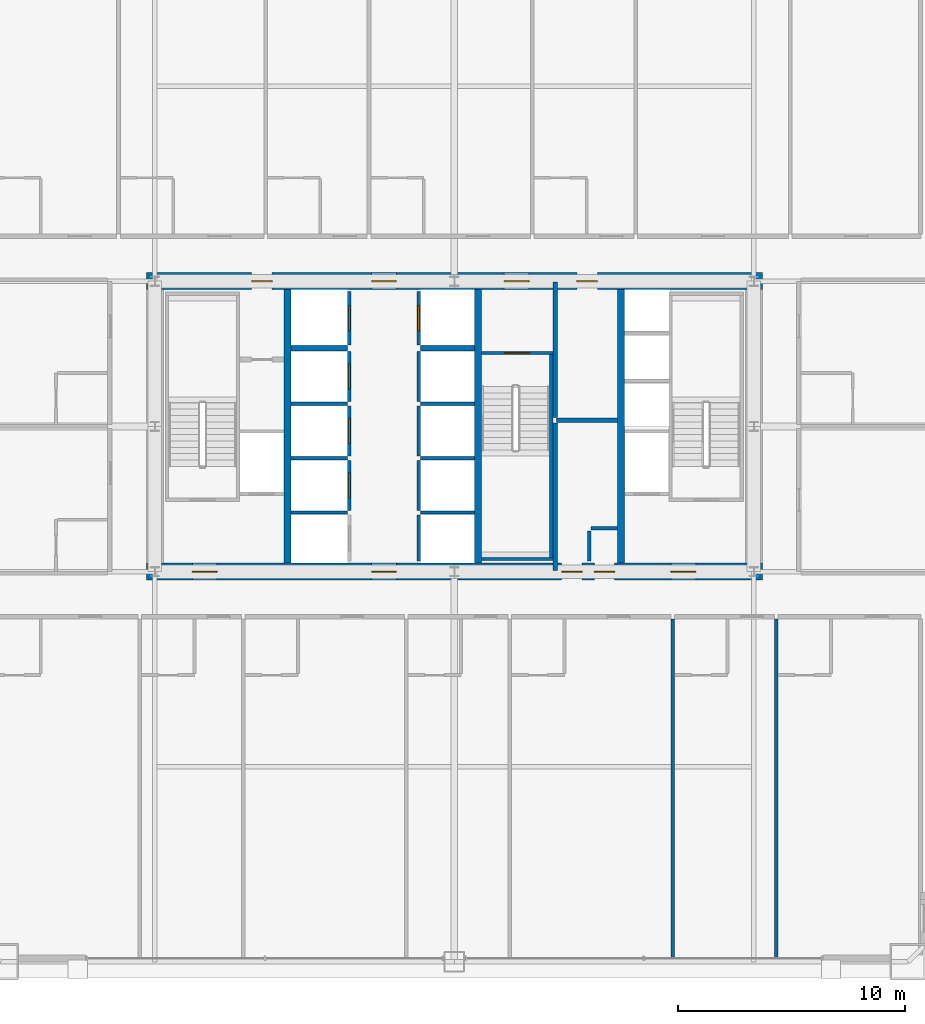
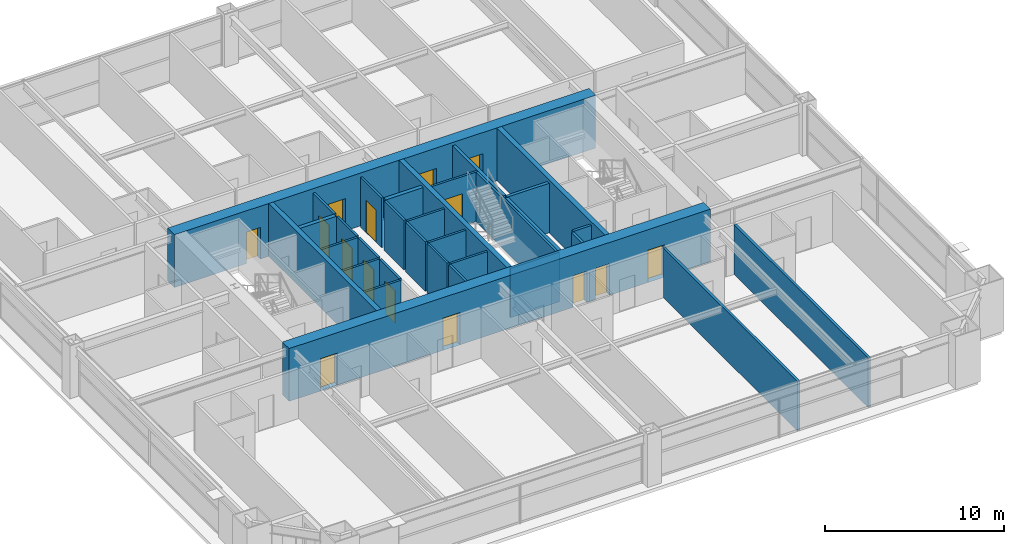
# One storey, part 35 of 38: 32 walls, 15 doors, 15 openings.
"""IFC4 building model written with IfcOpenShell, lengths in metres."""

from ifc_helpers import new_model, si_unit, direction, frame, frame_2d, origin, place, context, subcontext, project, spatial, rectangle, extrude, source, transform, mapped, material, layer, layer_set, type_object, element, fill, save


model = new_model("IFC4")

# Units and contexts
model_context = context("Model", 3, precision=1e-05, world=origin(), true_north=direction((0.0, 1.0)))
body_context = subcontext(model_context, "Body", "Model", "MODEL_VIEW")
ifc_project = project(units=[si_unit("LENGTHUNIT", "METRE"), si_unit("AREAUNIT", "SQUARE_METRE"), si_unit("VOLUMEUNIT", "CUBIC_METRE"), si_unit("PLANEANGLEUNIT", "RADIAN"), si_unit("MASSUNIT", "GRAM", prefix="KILO"), si_unit("THERMODYNAMICTEMPERATUREUNIT", "KELVIN"), si_unit("POWERUNIT", "WATT")], contexts=[model_context])

# Site, building, storey
site_placement = place(None, origin())
site = spatial("IfcSite", under=ifc_project, at=site_placement, CompositionType="ELEMENT")
building_placement = place(site_placement, origin())
building = spatial("IfcBuilding", under=site, at=building_placement, Name="Yuzanri Waterfront Tower", CompositionType="ELEMENT")
storey_placement = place(building_placement, frame((0.0, 0.0, 97.39990234375)))
storey = spatial("IfcBuildingStorey", under=building, at=storey_placement, Name="L25", CompositionType="ELEMENT", Elevation=97.39990234375)

# Wall, openings, doors
ifc_material_1 = material(Name="Concrete C55", Category="concrete")
ifc_layer_1 = layer(ifc_material_1, 0.75)
ifc_layer_set_1 = layer_set([ifc_layer_1], Name="Concrete C55")
wall_type_1 = type_object("IfcWallType", Name="Concrete C55 Low-Mid Zone Core Shear Wall 750", PredefinedType="SHEAR", material=ifc_layer_set_1)
wall_1_placement = place(storey_placement, frame((23.425048828125, 19.39990234375, 0.0), z_axis=(0.0, 0.0, 1.0), x_axis=(1.0, 0.0, 0.0)))
wall_1 = element("IfcWall", 1, at=wall_1_placement, inside=storey, type_object=wall_type_1, Name="L25 Core South Shear Wall", PredefinedType="SHEAR", context=body_context, shape_type="SweptSolid", body=[
    extrude(rectangle(XDim=27.14990234375, YDim=0.75, at=frame_2d((13.574951171875, 0.0))), origin(), (0.0, 0.0, 1.0), 3.60009765625),
])
opening_1_placement = place(wall_1_placement, frame((2.02490234375, 0.0, 0.0)))
opening_1 = element("IfcOpeningElement", 2, at=opening_1_placement, cuts=wall_1, Name="Opening FD-1100", PredefinedType="OPENING", context=body_context, shape_type="SweptSolid", body=[
    extrude(rectangle(XDim=1.10009765625, YDim=2.199951171875, at=frame_2d((0.550048828125, 1.10009765625))), frame((0.0, 0.389892578125, 0.0), z_axis=(0.0, -1.0, 0.0), x_axis=(1.0, 0.0, 0.0)), (0.0, 0.0, 1.0), 0.77978515625),
])
opening_2_placement = place(wall_1_placement, frame((9.925048828125, 0.0, 0.0)))
opening_2 = element("IfcOpeningElement", 3, at=opening_2_placement, cuts=wall_1, Name="Opening FD-1100", PredefinedType="OPENING", context=body_context, shape_type="SweptSolid", body=[
    extrude(rectangle(XDim=1.10009765625, YDim=2.199951171875, at=frame_2d((0.550048828125, 1.10009765625))), frame((0.0, 0.389892578125, 0.0), z_axis=(0.0, -1.0, 0.0), x_axis=(1.0, 0.0, 0.0)), (0.0, 0.0, 1.0), 0.77978515625),
])
opening_3_placement = place(wall_1_placement, frame((23.125, 0.0, 0.0)))
opening_3 = element("IfcOpeningElement", 4, at=opening_3_placement, cuts=wall_1, Name="Opening FD-1100", PredefinedType="OPENING", context=body_context, shape_type="SweptSolid", body=[
    extrude(rectangle(XDim=1.10009765625, YDim=2.199951171875, at=frame_2d((0.550048828125, 1.10009765625))), frame((0.0, 0.389892578125, 0.0), z_axis=(0.0, -1.0, 0.0), x_axis=(1.0, 0.0, 0.0)), (0.0, 0.0, 1.0), 0.77978515625),
])
opening_4_placement = place(wall_1_placement, frame((19.7451171875, 0.0, 0.0)))
opening_4 = element("IfcOpeningElement", 5, at=opening_4_placement, cuts=wall_1, Name="Opening FD-0900", PredefinedType="OPENING", context=body_context, shape_type="SweptSolid", body=[
    extrude(rectangle(XDim=0.89990234375, YDim=2.14990234375, at=frame_2d((0.449951171875, 1.074951171875))), frame((0.0, 0.389892578125, 0.0), z_axis=(0.0, -1.0, 0.0), x_axis=(1.0, 0.0, 0.0)), (0.0, 0.0, 1.0), 0.77978515625),
])
opening_5_placement = place(wall_1_placement, frame((18.304931640625, 0.0, 0.0)))
opening_5 = element("IfcOpeningElement", 6, at=opening_5_placement, cuts=wall_1, Name="Opening FD-0900", PredefinedType="OPENING", context=body_context, shape_type="SweptSolid", body=[
    extrude(rectangle(XDim=0.89990234375, YDim=2.14990234375, at=frame_2d((0.449951171875, 1.074951171875))), frame((0.0, 0.389892578125, 0.0), z_axis=(0.0, -1.0, 0.0), x_axis=(1.0, 0.0, 0.0)), (0.0, 0.0, 1.0), 0.77978515625),
])
ifc_material_2 = material(Name="Painted Galvanized Fire Steel", Category="steel")
door_type_1 = type_object("IfcDoorType", Name="Smoke-Proof Stair and Lobby Fire Door 1100x2200", OperationType="NOTDEFINED", PredefinedType="DOOR", material=ifc_material_2)
shared_shape_1 = source(origin(), body_context, "Body", "SweptSolid", [
    extrude(rectangle(XDim=1.10009765625, YDim=2.199951171875, at=frame_2d((0.550048828125, 1.10009765625))), frame((0.0, 0.02490234375, 0.0), z_axis=(0.0, -1.0, 0.0), x_axis=(1.0, 0.0, 0.0)), (0.0, 0.0, 1.0), 0.050048828125),
])
door_1_placement = place(opening_1_placement, origin())
door_1 = element("IfcDoor", 7, at=door_1_placement, inside=storey, type_object=door_type_1, Name="L25 West Firefighting Lobby Door", OperationType="SINGLE_SWING_RIGHT", OverallHeight=2.199951171875, OverallWidth=1.10009765625, PredefinedType="DOOR", context=body_context, shape_type="MappedRepresentation", body=[
    mapped(shared_shape_1, transform((0.0, 0.0, 0.0), scale=1.0)),
])
fill(opening_1, door_1)
door_2_placement = place(opening_2_placement, origin())
door_2 = element("IfcDoor", 8, at=door_2_placement, inside=storey, type_object=door_type_1, Name="L25 Central Lift Lobby South Door", OperationType="SINGLE_SWING_LEFT", OverallHeight=2.199951171875, OverallWidth=1.10009765625, PredefinedType="DOOR", context=body_context, shape_type="MappedRepresentation", body=[
    mapped(shared_shape_1, transform((0.0, 0.0, 0.0), scale=1.0)),
])
fill(opening_2, door_2)
door_3_placement = place(opening_3_placement, origin())
door_3 = element("IfcDoor", 9, at=door_3_placement, inside=storey, type_object=door_type_1, Name="L25 East Firefighting Lobby Door", OperationType="SINGLE_SWING_RIGHT", OverallHeight=2.199951171875, OverallWidth=1.10009765625, PredefinedType="DOOR", context=body_context, shape_type="MappedRepresentation", body=[
    mapped(shared_shape_1, transform((0.0, 0.0, 0.0), scale=1.0)),
])
fill(opening_3, door_3)
ifc_material_3 = material(Name="Painted Galvanized Fire Steel", Category="steel")
door_type_2 = type_object("IfcDoorType", Name="Riser and Service Room Fire Door 900x2150", OperationType="NOTDEFINED", PredefinedType="DOOR", material=ifc_material_3)
shared_shape_2 = source(origin(), body_context, "Body", "SweptSolid", [
    extrude(rectangle(XDim=0.89990234375, YDim=2.14990234375, at=frame_2d((0.449951171875, 1.074951171875))), frame((0.0, 0.02490234375, 0.0), z_axis=(0.0, -1.0, 0.0), x_axis=(1.0, 0.0, 0.0)), (0.0, 0.0, 1.0), 0.050048828125),
])
door_4_placement = place(opening_4_placement, origin())
door_4 = element("IfcDoor", 10, at=door_4_placement, inside=storey, type_object=door_type_2, Name="L25 East Wet Riser Door", OperationType="SINGLE_SWING_LEFT", OverallHeight=2.14990234375, OverallWidth=0.89990234375, PredefinedType="DOOR", context=body_context, shape_type="MappedRepresentation", body=[
    mapped(shared_shape_2, transform((0.0, 0.0, 0.0), scale=1.0)),
])
fill(opening_4, door_4)
door_5_placement = place(opening_5_placement, origin())
door_5 = element("IfcDoor", 11, at=door_5_placement, inside=storey, type_object=door_type_2, Name="L25 Meter and Valve Store Room", OperationType="SINGLE_SWING_RIGHT", OverallHeight=2.14990234375, OverallWidth=0.89990234375, PredefinedType="DOOR", context=body_context, shape_type="MappedRepresentation", body=[
    mapped(shared_shape_2, transform((0.0, 0.0, 0.0), scale=1.0)),
])
fill(opening_5, door_5)

wall_2_placement = place(storey_placement, frame((23.425048828125, 32.199951171875, 0.0), z_axis=(0.0, 0.0, 1.0), x_axis=(1.0, 0.0, 0.0)))
wall_2 = element("IfcWall", 12, at=wall_2_placement, inside=storey, type_object=wall_type_1, Name="L25 Core North Shear Wall", PredefinedType="SHEAR", context=body_context, shape_type="SweptSolid", body=[
    extrude(rectangle(XDim=27.14990234375, YDim=0.75, at=frame_2d((13.574951171875, 0.0))), origin(), (0.0, 0.0, 1.0), 3.60009765625),
])
opening_6_placement = place(wall_2_placement, frame((4.64501953125, 0.0, 0.0)))
opening_6 = element("IfcOpeningElement", 13, at=opening_6_placement, cuts=wall_2, Name="Opening FD-0900", PredefinedType="OPENING", context=body_context, shape_type="SweptSolid", body=[
    extrude(rectangle(XDim=0.89990234375, YDim=2.14990234375, at=frame_2d((0.449951171875, 1.074951171875))), frame((0.0, 0.389892578125, 0.0), z_axis=(0.0, -1.0, 0.0), x_axis=(1.0, 0.0, 0.0)), (0.0, 0.0, 1.0), 0.77978515625),
])
opening_7_placement = place(wall_2_placement, frame((9.925048828125, 0.0, 0.0)))
opening_7 = element("IfcOpeningElement", 14, at=opening_7_placement, cuts=wall_2, Name="Opening FD-1100", PredefinedType="OPENING", context=body_context, shape_type="SweptSolid", body=[
    extrude(rectangle(XDim=1.10009765625, YDim=2.199951171875, at=frame_2d((0.550048828125, 1.10009765625))), frame((0.0, 0.389892578125, 0.0), z_axis=(0.0, -1.0, 0.0), x_axis=(1.0, 0.0, 0.0)), (0.0, 0.0, 1.0), 0.77978515625),
])
opening_8_placement = place(wall_2_placement, frame((15.77490234375, 0.0, 0.0)))
opening_8 = element("IfcOpeningElement", 15, at=opening_8_placement, cuts=wall_2, Name="Opening FD-1100", PredefinedType="OPENING", context=body_context, shape_type="SweptSolid", body=[
    extrude(rectangle(XDim=1.10009765625, YDim=2.199951171875, at=frame_2d((0.550048828125, 1.10009765625))), frame((0.0, 0.389892578125, 0.0), z_axis=(0.0, -1.0, 0.0), x_axis=(1.0, 0.0, 0.0)), (0.0, 0.0, 1.0), 0.77978515625),
])
opening_9_placement = place(wall_2_placement, frame((18.97509765625, 0.0, 0.0)))
opening_9 = element("IfcOpeningElement", 16, at=opening_9_placement, cuts=wall_2, Name="Opening FD-0900", PredefinedType="OPENING", context=body_context, shape_type="SweptSolid", body=[
    extrude(rectangle(XDim=0.89990234375, YDim=2.14990234375, at=frame_2d((0.449951171875, 1.074951171875))), frame((0.0, 0.389892578125, 0.0), z_axis=(0.0, -1.0, 0.0), x_axis=(1.0, 0.0, 0.0)), (0.0, 0.0, 1.0), 0.77978515625),
])
door_6_placement = place(opening_7_placement, origin())
door_6 = element("IfcDoor", 17, at=door_6_placement, inside=storey, type_object=door_type_1, Name="L25 Central Lift Lobby North Door", OperationType="SINGLE_SWING_RIGHT", OverallHeight=2.199951171875, OverallWidth=1.10009765625, PredefinedType="DOOR", context=body_context, shape_type="MappedRepresentation", body=[
    mapped(shared_shape_1, transform((0.0, 0.0, 0.0), scale=1.0)),
])
fill(opening_7, door_6)
door_7_placement = place(opening_8_placement, origin())
door_7 = element("IfcDoor", 18, at=door_7_placement, inside=storey, type_object=door_type_1, Name="L25 North Stair Lobby Door", OperationType="SINGLE_SWING_LEFT", OverallHeight=2.199951171875, OverallWidth=1.10009765625, PredefinedType="DOOR", context=body_context, shape_type="MappedRepresentation", body=[
    mapped(shared_shape_1, transform((0.0, 0.0, 0.0), scale=1.0)),
])
fill(opening_8, door_7)
door_8_placement = place(opening_6_placement, origin())
door_8 = element("IfcDoor", 19, at=door_8_placement, inside=storey, type_object=door_type_2, Name="L25 Telecom Riser Door", OperationType="SINGLE_SWING_LEFT", OverallHeight=2.14990234375, OverallWidth=0.89990234375, PredefinedType="DOOR", context=body_context, shape_type="MappedRepresentation", body=[
    mapped(shared_shape_2, transform((0.0, 0.0, 0.0), scale=1.0)),
])
fill(opening_6, door_8)
door_9_placement = place(opening_9_placement, origin())
door_9 = element("IfcDoor", 20, at=door_9_placement, inside=storey, type_object=door_type_2, Name="L25 Housekeeping Room", OperationType="SINGLE_SWING_LEFT", OverallHeight=2.14990234375, OverallWidth=0.89990234375, PredefinedType="DOOR", context=body_context, shape_type="MappedRepresentation", body=[
    mapped(shared_shape_2, transform((0.0, 0.0, 0.0), scale=1.0)),
])
fill(opening_9, door_9)

# Wall, opening, door
ifc_material_4 = material(Name="Concrete C40", Category="concrete")
ifc_layer_2 = layer(ifc_material_4, 0.139892578125)
ifc_layer_set_2 = layer_set([ifc_layer_2], Name="Concrete C40")
wall_type_2 = type_object("IfcWallType", Name="Core Stair Liner and Hoistway Shaft Wall 140", PredefinedType="SOLIDWALL", material=ifc_layer_set_2)
wall_3_placement = place(storey_placement, frame((32.3701171875, 22.10009765625, 0.0), z_axis=(0.0, 0.0, 1.0), x_axis=(0.0, 1.0, 0.0)))
wall_3 = element("IfcWall", 21, at=wall_3_placement, inside=storey, type_object=wall_type_2, Name="L25 Lift PL-02 Front Shaft Wall", PredefinedType="SOLIDWALL", context=body_context, shape_type="SweptSolid", body=[
    extrude(rectangle(XDim=2.199951171875, YDim=0.139892578125, at=frame_2d((1.10009765625, 0.0))), origin(), (0.0, 0.0, 1.0), 3.380126953125),
])
opening_10_placement = place(wall_3_placement, frame((0.550048828125, 0.0, 0.0)))
opening_10 = element("IfcOpeningElement", 22, at=opening_10_placement, cuts=wall_3, Name="Opening LD-PL-02", PredefinedType="OPENING", context=body_context, shape_type="SweptSolid", body=[
    extrude(rectangle(XDim=1.10009765625, YDim=2.199951171875, at=frame_2d((0.550048828125, 1.10009765625))), frame((0.0, 0.0849609375, 0.0), z_axis=(0.0, -1.0, 0.0), x_axis=(1.0, 0.0, 0.0)), (0.0, 0.0, 1.0), 0.169677734375),
])
ifc_material_5 = material(Name="Brushed Bronze and Stainless Steel Cab", Category="steel")
door_type_3 = type_object("IfcDoorType", Name="Center-Parting Bronze Lift Landing Sliding Door 1100x2200", OperationType="NOTDEFINED", PredefinedType="DOOR", material=ifc_material_5)
shared_shape_3 = source(origin(), body_context, "Body", "SweptSolid", [
    extrude(rectangle(XDim=1.10009765625, YDim=2.199951171875, at=frame_2d((0.550048828125, 1.10009765625))), frame((0.0, 0.02490234375, 0.0), z_axis=(0.0, -1.0, 0.0), x_axis=(1.0, 0.0, 0.0)), (0.0, 0.0, 1.0), 0.050048828125),
])
door_10_placement = place(opening_10_placement, origin())
door_10 = element("IfcDoor", 23, at=door_10_placement, inside=storey, type_object=door_type_3, Name="L25 PL-02 Lift Landing Sliding Door", OperationType="SLIDING_TO_RIGHT", OverallHeight=2.199951171875, OverallWidth=1.10009765625, PredefinedType="DOOR", context=body_context, shape_type="MappedRepresentation", body=[
    mapped(shared_shape_3, transform((0.0, 0.0, 0.0), scale=1.0)),
])
fill(opening_10, door_10)

wall_4_placement = place(storey_placement, frame((32.3701171875, 24.5, 0.0), z_axis=(0.0, 0.0, 1.0), x_axis=(0.0, 1.0, 0.0)))
wall_4 = element("IfcWall", 24, at=wall_4_placement, inside=storey, type_object=wall_type_2, Name="L25 Lift PL-03 Front Shaft Wall", PredefinedType="SOLIDWALL", context=body_context, shape_type="SweptSolid", body=[
    extrude(rectangle(XDim=2.199951171875, YDim=0.139892578125, at=frame_2d((1.10009765625, 0.0))), origin(), (0.0, 0.0, 1.0), 3.380126953125),
])
opening_11_placement = place(wall_4_placement, frame((0.550048828125, 0.0, 0.0)))
opening_11 = element("IfcOpeningElement", 25, at=opening_11_placement, cuts=wall_4, Name="Opening LD-PL-03", PredefinedType="OPENING", context=body_context, shape_type="SweptSolid", body=[
    extrude(rectangle(XDim=1.10009765625, YDim=2.199951171875, at=frame_2d((0.550048828125, 1.10009765625))), frame((0.0, 0.0849609375, 0.0), z_axis=(0.0, -1.0, 0.0), x_axis=(1.0, 0.0, 0.0)), (0.0, 0.0, 1.0), 0.169677734375),
])
door_11_placement = place(opening_11_placement, origin())
door_11 = element("IfcDoor", 26, at=door_11_placement, inside=storey, type_object=door_type_3, Name="L25 PL-03 Lift Landing Sliding Door", OperationType="SLIDING_TO_LEFT", OverallHeight=2.199951171875, OverallWidth=1.10009765625, PredefinedType="DOOR", context=body_context, shape_type="MappedRepresentation", body=[
    mapped(shared_shape_3, transform((0.0, 0.0, 0.0), scale=1.0)),
])
fill(opening_11, door_11)

wall_5_placement = place(storey_placement, frame((32.3701171875, 26.89990234375, 0.0), z_axis=(0.0, 0.0, 1.0), x_axis=(0.0, 1.0, 0.0)))
wall_5 = element("IfcWall", 27, at=wall_5_placement, inside=storey, type_object=wall_type_2, Name="L25 Lift PL-04 Front Shaft Wall", PredefinedType="SOLIDWALL", context=body_context, shape_type="SweptSolid", body=[
    extrude(rectangle(XDim=2.2001953125, YDim=0.139892578125, at=frame_2d((1.10009765625, 0.0))), origin(), (0.0, 0.0, 1.0), 3.380126953125),
])
opening_12_placement = place(wall_5_placement, frame((0.550048828125, 0.0, 0.0)))
opening_12 = element("IfcOpeningElement", 28, at=opening_12_placement, cuts=wall_5, Name="Opening LD-PL-04", PredefinedType="OPENING", context=body_context, shape_type="SweptSolid", body=[
    extrude(rectangle(XDim=1.10009765625, YDim=2.199951171875, at=frame_2d((0.550048828125, 1.10009765625))), frame((0.0, 0.0849609375, 0.0), z_axis=(0.0, -1.0, 0.0), x_axis=(1.0, 0.0, 0.0)), (0.0, 0.0, 1.0), 0.169677734375),
])
door_12_placement = place(opening_12_placement, origin())
door_12 = element("IfcDoor", 29, at=door_12_placement, inside=storey, type_object=door_type_3, Name="L25 PL-04 Lift Landing Sliding Door", OperationType="SLIDING_TO_RIGHT", OverallHeight=2.199951171875, OverallWidth=1.10009765625, PredefinedType="DOOR", context=body_context, shape_type="MappedRepresentation", body=[
    mapped(shared_shape_3, transform((0.0, 0.0, 0.0), scale=1.0)),
])
fill(opening_12, door_12)

wall_6_placement = place(storey_placement, frame((32.3701171875, 29.39990234375, 0.0), z_axis=(0.0, 0.0, 1.0), x_axis=(0.0, 1.0, 0.0)))
wall_6 = element("IfcWall", 30, at=wall_6_placement, inside=storey, type_object=wall_type_2, Name="L25 Lift SL-01 Front Shaft Wall", PredefinedType="SOLIDWALL", context=body_context, shape_type="SweptSolid", body=[
    extrude(rectangle(XDim=2.340087890625, YDim=0.139892578125, at=frame_2d((1.169921875, 0.0))), origin(), (0.0, 0.0, 1.0), 3.380126953125),
])
opening_13_placement = place(wall_6_placement, frame((0.6201171875, 0.0, 0.0)))
opening_13 = element("IfcOpeningElement", 31, at=opening_13_placement, cuts=wall_6, Name="Opening LD-SL-01", PredefinedType="OPENING", context=body_context, shape_type="SweptSolid", body=[
    extrude(rectangle(XDim=1.10009765625, YDim=2.199951171875, at=frame_2d((0.550048828125, 1.10009765625))), frame((0.0, 0.0849609375, 0.0), z_axis=(0.0, -1.0, 0.0), x_axis=(1.0, 0.0, 0.0)), (0.0, 0.0, 1.0), 0.169677734375),
])
door_13_placement = place(opening_13_placement, origin())
door_13 = element("IfcDoor", 32, at=door_13_placement, inside=storey, type_object=door_type_3, Name="L25 SL-01 Lift Landing Sliding Door", OperationType="SLIDING_TO_LEFT", OverallHeight=2.199951171875, OverallWidth=1.10009765625, PredefinedType="DOOR", context=body_context, shape_type="MappedRepresentation", body=[
    mapped(shared_shape_3, transform((0.0, 0.0, 0.0), scale=1.0)),
])
fill(opening_13, door_13)

wall_7_placement = place(storey_placement, frame((35.429931640625, 29.39990234375, 0.0), z_axis=(0.0, 0.0, 1.0), x_axis=(0.0, 1.0, 0.0)))
wall_7 = element("IfcWall", 33, at=wall_7_placement, inside=storey, type_object=wall_type_2, Name="L25 Lift SL-02 Front Shaft Wall", PredefinedType="SOLIDWALL", context=body_context, shape_type="SweptSolid", body=[
    extrude(rectangle(XDim=2.340087890625, YDim=0.139892578125, at=frame_2d((1.169921875, 0.0))), origin(), (0.0, 0.0, 1.0), 3.380126953125),
])
opening_14_placement = place(wall_7_placement, frame((0.6201171875, 0.0, 0.0)))
opening_14 = element("IfcOpeningElement", 34, at=opening_14_placement, cuts=wall_7, Name="Opening LD-SL-02", PredefinedType="OPENING", context=body_context, shape_type="SweptSolid", body=[
    extrude(rectangle(XDim=1.10009765625, YDim=2.199951171875, at=frame_2d((0.550048828125, 1.10009765625))), frame((0.0, 0.0849609375, 0.0), z_axis=(0.0, -1.0, 0.0), x_axis=(1.0, 0.0, 0.0)), (0.0, 0.0, 1.0), 0.169677734375),
])
door_14_placement = place(opening_14_placement, origin())
door_14 = element("IfcDoor", 35, at=door_14_placement, inside=storey, type_object=door_type_3, Name="L25 SL-02 Lift Landing Sliding Door", OperationType="SLIDING_TO_RIGHT", OverallHeight=2.199951171875, OverallWidth=1.10009765625, PredefinedType="DOOR", context=body_context, shape_type="MappedRepresentation", body=[
    mapped(shared_shape_3, transform((0.0, 0.0, 0.0), scale=1.0)),
])
fill(opening_14, door_14)

wall_8_placement = place(storey_placement, frame((38.199951171875, 29.030029296875, 0.0), z_axis=(0.0, 0.0, 1.0), x_axis=(1.0, 0.0, 0.0)))
wall_8 = element("IfcWall", 36, at=wall_8_placement, inside=storey, type_object=wall_type_2, Name="L25 Shaft Wall STW-L25-ST-03-N", PredefinedType="SOLIDWALL", context=body_context, shape_type="SweptSolid", body=[
    extrude(rectangle(XDim=3.14013671875, YDim=0.139892578125, at=frame_2d((1.570068359375, 0.0))), origin(), (0.0, 0.0, 1.0), 3.380126953125),
])
opening_15_placement = place(wall_8_placement, frame((1.02001953125, 0.0, 0.0)))
opening_15 = element("IfcOpeningElement", 37, at=opening_15_placement, cuts=wall_8, Name="Opening FD-1100", PredefinedType="OPENING", context=body_context, shape_type="SweptSolid", body=[
    extrude(rectangle(XDim=1.10009765625, YDim=2.199951171875, at=frame_2d((0.550048828125, 1.10009765625))), frame((0.0, 0.0849609375, 0.0), z_axis=(0.0, -1.0, 0.0), x_axis=(1.0, 0.0, 0.0)), (0.0, 0.0, 1.0), 0.169677734375),
])
door_15_placement = place(opening_15_placement, origin())
door_15 = element("IfcDoor", 38, at=door_15_placement, inside=storey, type_object=door_type_1, Name="L25 Stair ST-03 Fire Door", OperationType="SINGLE_SWING_LEFT", OverallHeight=2.199951171875, OverallWidth=1.10009765625, PredefinedType="DOOR", context=body_context, shape_type="MappedRepresentation", body=[
    mapped(shared_shape_1, transform((0.0, 0.0, 0.0), scale=1.0)),
])
fill(opening_15, door_15)

# Walls
ifc_material_6 = material(Name="Concrete C50", Category="concrete")
ifc_layer_3 = layer(ifc_material_6, 0.300048828125)
ifc_layer_set_3 = layer_set([ifc_layer_3], Name="Concrete C50")
wall_type_3 = type_object("IfcWallType", Name="Concrete C50 Internal Core Shaft Structural Wall 300", PredefinedType="SOLIDWALL", material=ifc_layer_set_3)
shared_shape_4 = source(origin(), body_context, "Body", "SweptSolid", [
    extrude(rectangle(XDim=12.050048828125, YDim=0.300048828125, at=frame_2d((6.02490234375, 0.0))), origin(), (0.0, 0.0, 1.0), 3.60009765625),
])
for number, where, z_axis, x_axis, name in (
    (39, (29.64990234375, 19.77490234375, 0.0), (0.0, 0.0, 1.0), (0.0, 1.0, 0.0), "L25 Core Internal Structural Web Wall 1"),
    (40, (38.050048828125, 19.77490234375, 0.0), (0.0, 0.0, 1.0), (0.0, 1.0, 0.0), "L25 Core Internal Structural Web Wall 2"),
    (41, (44.35009765625, 19.77490234375, 0.0), (0.0, 0.0, 1.0), (0.0, 1.0, 0.0), "L25 Core Internal Structural Web Wall 3"),
):
    element("IfcWall", number, at=place(storey_placement, frame(where, z_axis=z_axis, x_axis=x_axis)), inside=storey, type_object=wall_type_3, Name=name, PredefinedType="SOLIDWALL", context=body_context, shape_type="MappedRepresentation", body=[
        mapped(shared_shape_4, transform((0.0, 0.0, 0.0), scale=1.0)),
    ])
shared_shape_5 = source(origin(), body_context, "Body", "SweptSolid", [
    extrude(rectangle(XDim=2.5, YDim=0.139892578125, at=frame_2d((1.25, 0.0))), origin(), (0.0, 0.0, 1.0), 3.380126953125),
])
for number, where, z_axis, x_axis, name in (
    (42, (29.800048828125, 22.0, 0.0), (0.0, 0.0, 1.0), (1.0, 0.0, 0.0), "L25 Lift PL-01 Divider Wall"),
    (43, (29.800048828125, 24.39990234375, 0.0), (0.0, 0.0, 1.0), (1.0, 0.0, 0.0), "L25 Lift PL-02 Divider Wall"),
    (44, (29.800048828125, 26.800048828125, 0.0), (0.0, 0.0, 1.0), (1.0, 0.0, 0.0), "L25 Lift PL-03 Divider Wall"),
):
    element("IfcWall", number, at=place(storey_placement, frame(where, z_axis=z_axis, x_axis=x_axis)), inside=storey, type_object=wall_type_2, Name=name, PredefinedType="SOLIDWALL", context=body_context, shape_type="MappedRepresentation", body=[
        mapped(shared_shape_5, transform((0.0, 0.0, 0.0), scale=1.0)),
    ])
ifc_material_7 = material(Name="Concrete C40", Category="concrete")
ifc_layer_4 = layer(ifc_material_7, 0.25)
ifc_layer_set_4 = layer_set([ifc_layer_4], Name="Concrete C40")
wall_type_4 = type_object("IfcWallType", Name="Smoke-Proof Stair and Lift Shaft Wall 250", PredefinedType="SOLIDWALL", material=ifc_layer_set_4)
shared_shape_6 = source(origin(), body_context, "Body", "SweptSolid", [
    extrude(rectangle(XDim=2.5, YDim=0.25, at=frame_2d((1.25, 0.0))), origin(), (0.0, 0.0, 1.0), 3.380126953125),
])
wall_9_placement = place(storey_placement, frame((29.800048828125, 29.25, 0.0), z_axis=(0.0, 0.0, 1.0), x_axis=(1.0, 0.0, 0.0)))
element("IfcWall", 45, at=wall_9_placement, inside=storey, type_object=wall_type_4, Name="L25 Lift SL-01 South Shaft Wall", PredefinedType="SOLIDWALL", context=body_context, shape_type="MappedRepresentation", body=[
    mapped(shared_shape_6, transform((0.0, 0.0, 0.0), scale=1.0)),
])
shared_shape_7 = source(origin(), body_context, "Body", "SweptSolid", [
    extrude(rectangle(XDim=2.039794921875, YDim=0.139892578125, at=frame_2d((1.02001953125, 0.0))), origin(), (0.0, 0.0, 1.0), 3.380126953125),
])
wall_10_placement = place(storey_placement, frame((35.429931640625, 19.860107421875, 0.0), z_axis=(0.0, 0.0, 1.0), x_axis=(0.0, 1.0, 0.0)))
element("IfcWall", 46, at=wall_10_placement, inside=storey, type_object=wall_type_2, Name="L25 Lift PL-05 Front Shaft Wall", PredefinedType="SOLIDWALL", context=body_context, shape_type="MappedRepresentation", body=[
    mapped(shared_shape_7, transform((0.0, 0.0, 0.0), scale=1.0)),
])
shared_shape_8 = source(origin(), body_context, "Body", "SweptSolid", [
    extrude(rectangle(XDim=2.39990234375, YDim=0.139892578125, at=frame_2d((1.199951171875, 0.0))), origin(), (0.0, 0.0, 1.0), 3.380126953125),
])
for number, where, z_axis, x_axis, name in (
    (47, (35.5, 22.0, 0.0), (0.0, 0.0, 1.0), (1.0, 0.0, 0.0), "L25 Lift PL-05 Divider Wall"),
    (48, (35.5, 24.39990234375, 0.0), (0.0, 0.0, 1.0), (1.0, 0.0, 0.0), "L25 Lift PL-06 Divider Wall"),
    (49, (35.5, 26.800048828125, 0.0), (0.0, 0.0, 1.0), (1.0, 0.0, 0.0), "L25 Lift PL-07 Divider Wall"),
):
    element("IfcWall", number, at=place(storey_placement, frame(where, z_axis=z_axis, x_axis=x_axis)), inside=storey, type_object=wall_type_2, Name=name, PredefinedType="SOLIDWALL", context=body_context, shape_type="MappedRepresentation", body=[
        mapped(shared_shape_8, transform((0.0, 0.0, 0.0), scale=1.0)),
    ])
shared_shape_9 = source(origin(), body_context, "Body", "SweptSolid", [
    extrude(rectangle(XDim=2.199951171875, YDim=0.139892578125, at=frame_2d((1.10009765625, 0.0))), origin(), (0.0, 0.0, 1.0), 3.380126953125),
])
for number, where, z_axis, x_axis, name in (
    (50, (35.429931640625, 22.10009765625, 0.0), (0.0, 0.0, 1.0), (0.0, 1.0, 0.0), "L25 Lift PL-06 Front Shaft Wall"),
    (51, (35.429931640625, 24.5, 0.0), (0.0, 0.0, 1.0), (0.0, 1.0, 0.0), "L25 Lift PL-07 Front Shaft Wall"),
):
    element("IfcWall", number, at=place(storey_placement, frame(where, z_axis=z_axis, x_axis=x_axis)), inside=storey, type_object=wall_type_2, Name=name, PredefinedType="SOLIDWALL", context=body_context, shape_type="MappedRepresentation", body=[
        mapped(shared_shape_9, transform((0.0, 0.0, 0.0), scale=1.0)),
    ])
shared_shape_10 = source(origin(), body_context, "Body", "SweptSolid", [
    extrude(rectangle(XDim=2.2001953125, YDim=0.139892578125, at=frame_2d((1.10009765625, 0.0))), origin(), (0.0, 0.0, 1.0), 3.380126953125),
])
wall_11_placement = place(storey_placement, frame((35.429931640625, 26.89990234375, 0.0), z_axis=(0.0, 0.0, 1.0), x_axis=(0.0, 1.0, 0.0)))
element("IfcWall", 52, at=wall_11_placement, inside=storey, type_object=wall_type_2, Name="L25 Lift PL-08 Front Shaft Wall", PredefinedType="SOLIDWALL", context=body_context, shape_type="MappedRepresentation", body=[
    mapped(shared_shape_10, transform((0.0, 0.0, 0.0), scale=1.0)),
])
shared_shape_11 = source(origin(), body_context, "Body", "SweptSolid", [
    extrude(rectangle(XDim=2.39990234375, YDim=0.25, at=frame_2d((1.199951171875, 0.0))), origin(), (0.0, 0.0, 1.0), 3.380126953125),
])
wall_12_placement = place(storey_placement, frame((35.5, 29.25, 0.0), z_axis=(0.0, 0.0, 1.0), x_axis=(1.0, 0.0, 0.0)))
element("IfcWall", 53, at=wall_12_placement, inside=storey, type_object=wall_type_4, Name="L25 Lift SL-02 South Shaft Wall", PredefinedType="SOLIDWALL", context=body_context, shape_type="MappedRepresentation", body=[
    mapped(shared_shape_11, transform((0.0, 0.0, 0.0), scale=1.0)),
])
shared_shape_12 = source(origin(), body_context, "Body", "SweptSolid", [
    extrude(rectangle(XDim=3.14013671875, YDim=0.139892578125, at=frame_2d((1.570068359375, 0.0))), origin(), (0.0, 0.0, 1.0), 3.380126953125),
])
wall_13_placement = place(storey_placement, frame((38.199951171875, 19.949951171875, 0.0), z_axis=(0.0, 0.0, 1.0), x_axis=(1.0, 0.0, 0.0)))
element("IfcWall", 54, at=wall_13_placement, inside=storey, type_object=wall_type_2, Name="L25 Stair ST-03 South Shaft Wall", PredefinedType="SOLIDWALL", context=body_context, shape_type="MappedRepresentation", body=[
    mapped(shared_shape_12, transform((0.0, 0.0, 0.0), scale=1.0)),
])
shared_shape_13 = source(origin(), body_context, "Body", "SweptSolid", [
    extrude(rectangle(XDim=8.93994140625, YDim=0.139892578125, at=frame_2d((4.469970703125, 0.0))), origin(), (0.0, 0.0, 1.0), 3.380126953125),
])
wall_14_placement = place(storey_placement, frame((41.27001953125, 20.02001953125, 0.0), z_axis=(0.0, 0.0, 1.0), x_axis=(0.0, 1.0, 0.0)))
element("IfcWall", 55, at=wall_14_placement, inside=storey, type_object=wall_type_2, Name="L25 Stair ST-03 East Shaft Wall", PredefinedType="SOLIDWALL", context=body_context, shape_type="MappedRepresentation", body=[
    mapped(shared_shape_13, transform((0.0, 0.0, 0.0), scale=1.0)),
])
ifc_material_8 = material(Name="Gypsum Fireboard Acoustic Stud Wall", Category="gypsum")
ifc_layer_5 = layer(ifc_material_8, 0.159912109375)
ifc_layer_set_5 = layer_set([ifc_layer_5], Name="Gypsum Fireboard Acoustic Stud Wall")
wall_type_5 = type_object("IfcWallType", Name="Acoustic Suite Demising Partition 160", PredefinedType="PARTITIONING", material=ifc_layer_set_5)
shared_shape_14 = source(origin(), body_context, "Body", "SweptSolid", [
    extrude(rectangle(XDim=1.33984375, YDim=0.159912109375, at=frame_2d((0.669921875, 0.0))), origin(), (0.0, 0.0, 1.0), 3.380126953125),
])
wall_15_placement = place(storey_placement, frame((42.949951171875, 19.860107421875, 0.0), z_axis=(0.0, 0.0, 1.0), x_axis=(0.0, 1.0, 0.0)))
element("IfcWall", 56, at=wall_15_placement, inside=storey, type_object=wall_type_5, Name="L25 East Wet Riser West Wall", PredefinedType="PARTITIONING", context=body_context, shape_type="MappedRepresentation", body=[
    mapped(shared_shape_14, transform((0.0, 0.0, 0.0), scale=1.0)),
])
shared_shape_15 = source(origin(), body_context, "Body", "SweptSolid", [
    extrude(rectangle(XDim=1.169921875, YDim=0.159912109375, at=frame_2d((0.5849609375, 0.0))), origin(), (0.0, 0.0, 1.0), 3.380126953125),
])
wall_16_placement = place(storey_placement, frame((43.030029296875, 21.320068359375, 0.0), z_axis=(0.0, 0.0, 1.0), x_axis=(1.0, 0.0, 0.0)))
element("IfcWall", 57, at=wall_16_placement, inside=storey, type_object=wall_type_5, Name="L25 East Wet Riser North Wall", PredefinedType="PARTITIONING", context=body_context, shape_type="MappedRepresentation", body=[
    mapped(shared_shape_15, transform((0.0, 0.0, 0.0), scale=1.0)),
])
ifc_material_9 = material(Name="Autoclaved Aerated Concrete Blockwork", Category="masonry")
ifc_layer_6 = layer(ifc_material_9, 0.199951171875)
ifc_layer_set_6 = layer_set([ifc_layer_6], Name="Autoclaved Aerated Concrete Blockwork")
wall_type_6 = type_object("IfcWallType", Name="Corridor and Unit Party Fire Wall 200", PredefinedType="PARTITIONING", material=ifc_layer_set_6)
shared_shape_16 = source(origin(), body_context, "Body", "SweptSolid", [
    extrude(rectangle(XDim=6.510009765625, YDim=0.199951171875, at=frame_2d((3.2548828125, 0.0))), origin(), (0.0, 0.0, 1.0), 3.380126953125),
])
wall_17_placement = place(storey_placement, frame((41.449951171875, 19.43994140625, 0.0), z_axis=(0.0, 0.0, 1.0), x_axis=(0.0, 1.0, 0.0)))
element("IfcWall", 58, at=wall_17_placement, inside=storey, type_object=wall_type_6, Name="L25 Core BOH West Wall 1", PredefinedType="PARTITIONING", context=body_context, shape_type="MappedRepresentation", body=[
    mapped(shared_shape_16, transform((0.0, 0.0, 0.0), scale=1.0)),
])
shared_shape_17 = source(origin(), body_context, "Body", "SweptSolid", [
    extrude(rectangle(XDim=2.699951171875, YDim=0.199951171875, at=frame_2d((1.35009765625, 0.0))), origin(), (0.0, 0.0, 1.0), 3.380126953125),
])
wall_18_placement = place(storey_placement, frame((41.5, 26.070068359375, 0.0), z_axis=(0.0, 0.0, 1.0), x_axis=(1.0, 0.0, 0.0)))
element("IfcWall", 59, at=wall_18_placement, inside=storey, type_object=wall_type_6, Name="L25 Core BOH Split Wall 1", PredefinedType="PARTITIONING", context=body_context, shape_type="MappedRepresentation", body=[
    mapped(shared_shape_17, transform((0.0, 0.0, 0.0), scale=1.0)),
])
shared_shape_18 = source(origin(), body_context, "Body", "SweptSolid", [
    extrude(rectangle(XDim=5.9599609375, YDim=0.199951171875, at=frame_2d((2.97998046875, 0.0))), origin(), (0.0, 0.0, 1.0), 3.380126953125),
])
wall_19_placement = place(storey_placement, frame((41.449951171875, 26.199951171875, 0.0), z_axis=(0.0, 0.0, 1.0), x_axis=(0.0, 1.0, 0.0)))
element("IfcWall", 60, at=wall_19_placement, inside=storey, type_object=wall_type_6, Name="L25 Core BOH West Wall 2", PredefinedType="PARTITIONING", context=body_context, shape_type="MappedRepresentation", body=[
    mapped(shared_shape_18, transform((0.0, 0.0, 0.0), scale=1.0)),
])
shared_shape_19 = source(origin(), body_context, "Body", "SweptSolid", [
    extrude(rectangle(XDim=14.969970703125, YDim=0.159912109375, at=frame_2d((7.48486328125, 0.0))), origin(), (0.0, 0.0, 1.0), 3.380126953125),
])
for number, where, z_axis, x_axis, name in (
    (61, (46.634033203125, 2.35009765625, 0.0), (0.0, 0.0, 1.0), (0.0, 1.0, 0.0), "L25-S5 Party Wall"),
    (62, (51.19189453125, 2.35009765625, 0.0), (0.0, 0.0, 1.0), (0.0, 1.0, 0.0), "L25-S6 Party Wall"),
):
    element("IfcWall", number, at=place(storey_placement, frame(where, z_axis=z_axis, x_axis=x_axis)), inside=storey, type_object=wall_type_5, Name=name, PredefinedType="PARTITIONING", context=body_context, shape_type="MappedRepresentation", body=[
        mapped(shared_shape_19, transform((0.0, 0.0, 0.0), scale=1.0)),
    ])

save(model, "model.ifc")
